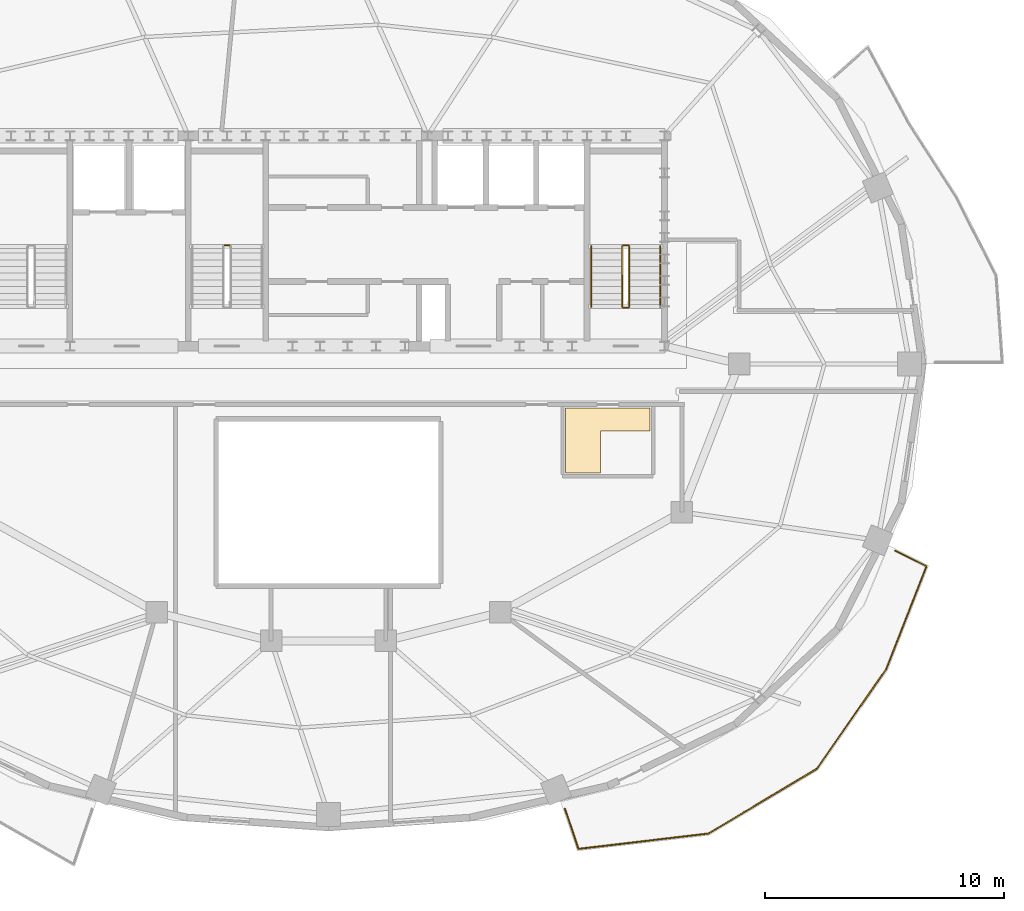
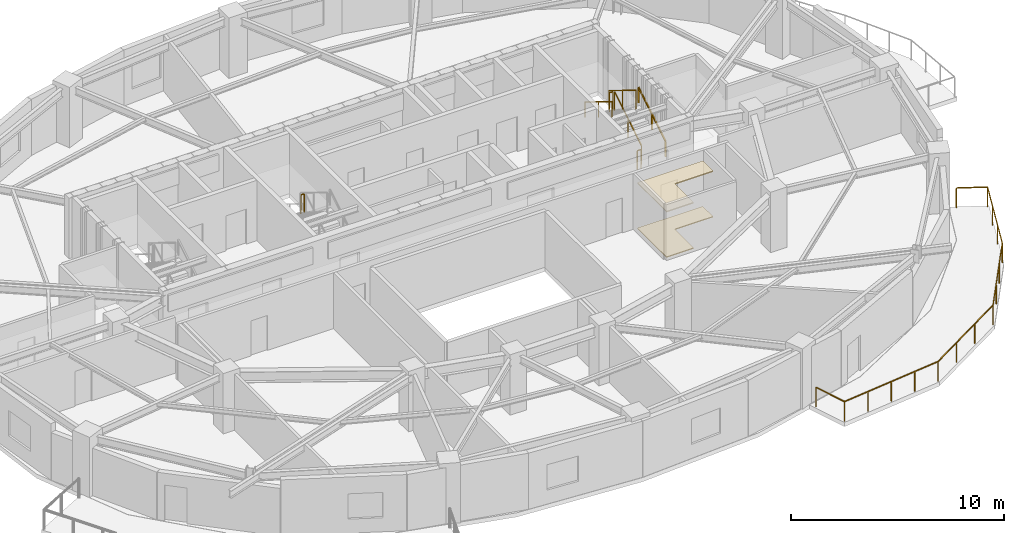
# One storey, part 9 of 10: 8 railings, 2 coverings.
"""IFC4 building model written with IfcOpenShell, lengths in metres."""

import ifcopenshell
import ifcopenshell.guid

model = None  # the IFC model being written
_history = None  # IfcOwnerHistory: only IFC2X3 demands one
_inside = {}  # id of a spatial element -> (the spatial element, [elements in it])
_under = {}  # id of a project, library or spatial element -> (it, [spatial elements below it])
_declared = {}  # id of a project -> (the project, [libraries it declares])
_typed = {}  # id of a type object -> (the type object, [elements of that type])
_made_of = {}  # id of a material, layer set ... -> (it, [elements and type objects made of it])


def new_model(schema):
    """Start an empty IFC model of exactly this schema.

    Asked for "IFC4X3", IfcOpenShell would pick the latest addendum, in which some entities
    have other attributes; the version numbers below select the first issue.
    IFC2X3 requires an IfcOwnerHistory on every rooted entity: one is made here for all.
    """
    global model, _history
    if schema == "IFC4X3":
        model = ifcopenshell.file(schema_version=(4, 3, 0, 0))
    else:
        model = ifcopenshell.file(schema=schema)
    _inside.clear()
    _under.clear()
    _declared.clear()
    _typed.clear()
    _made_of.clear()
    _history = None
    if model.schema == "IFC2X3":
        org = make("IfcOrganization", Name="unknown")
        user = make(
            "IfcPersonAndOrganization",
            ThePerson=make("IfcPerson", FamilyName="unknown"),
            TheOrganization=org,
        )
        app = make(
            "IfcApplication",
            ApplicationDeveloper=org,
            Version="unknown",
            ApplicationFullName="unknown",
            ApplicationIdentifier="unknown",
        )
        _history = make(
            "IfcOwnerHistory",
            OwningUser=user,
            OwningApplication=app,
            ChangeAction="ADDED",
            CreationDate=0,
        )
    return model


def make(cls, **values):
    """One entity of the class cls with the attributes given. An attribute that is None is left unset."""
    return model.create_entity(
        cls, **{name: value for name, value in values.items() if value is not None}
    )


def rooted(cls, **values):
    """An entity with a GlobalId (a new one), such as an element, a storey or a relation."""
    return make(cls, GlobalId=ifcopenshell.guid.new(), OwnerHistory=_history, **values)


def si_unit(unit_type, name, prefix=None):
    """IfcSIUnit, for example si_unit("LENGTHUNIT", "METRE", prefix="MILLI")."""
    return make("IfcSIUnit", UnitType=unit_type, Prefix=prefix, Name=name)


def assignment(units):
    """IfcUnitAssignment: the units of a project."""
    return None if units is None else make("IfcUnitAssignment", Units=units)


def point(xyz):
    """IfcCartesianPoint."""
    return None if xyz is None else make("IfcCartesianPoint", Coordinates=xyz)


def direction(xyz):
    """IfcDirection."""
    return None if xyz is None else make("IfcDirection", DirectionRatios=xyz)


def frame(location, z_axis=None, x_axis=None):
    """IfcAxis2Placement3D, a coordinate frame: its origin and axes. An axis left out is left unset."""
    return make(
        "IfcAxis2Placement3D",
        Location=point(location),
        Axis=direction(z_axis),
        RefDirection=direction(x_axis),
    )


def frame_2d(location, x_axis=None):
    """IfcAxis2Placement2D, a coordinate frame in the plane: its origin and x axis."""
    return make(
        "IfcAxis2Placement2D", Location=point(location), RefDirection=direction(x_axis)
    )


def origin():
    """The frame at (0, 0, 0) with its axes left unset."""
    return frame((0.0, 0.0, 0.0))


def origin_2d():
    """The frame at (0, 0) in the plane with its x axis left unset."""
    return frame_2d((0.0, 0.0))


def place(relative_to, where):
    """IfcLocalPlacement: puts the frame where relative to a parent placement (None: the world)."""
    return make(
        "IfcLocalPlacement", PlacementRelTo=relative_to, RelativePlacement=where
    )


def context(
    kind, dimensions, precision=None, world=None, true_north=None, identifier=None
):
    """IfcGeometricRepresentationContext, for example the 3D "Model" context."""
    return make(
        "IfcGeometricRepresentationContext",
        ContextIdentifier=identifier,
        ContextType=kind,
        CoordinateSpaceDimension=dimensions,
        Precision=precision,
        WorldCoordinateSystem=world,
        TrueNorth=true_north,
    )


def subcontext(parent, identifier, kind, view, scale=None):
    """IfcGeometricRepresentationSubContext, for example "Body" below "Model"."""
    return make(
        "IfcGeometricRepresentationSubContext",
        ContextIdentifier=identifier,
        ContextType=kind,
        ParentContext=parent,
        TargetScale=scale,
        TargetView=view,
    )


def project(units=None, contexts=None):
    """IfcProject with its units and contexts."""
    return rooted(
        "IfcProject",
        Name="project",
        RepresentationContexts=contexts,
        UnitsInContext=assignment(units),
    )


def spatial(cls, under=None, at=None, **own):
    """A site, building, storey or space (cls), placed at a placement, below another one or the project."""
    s = rooted(cls, ObjectPlacement=at, **own)
    if under is not None:
        _under.setdefault(under.id(), (under, []))[1].append(s)
    return s


def polyline(points):
    """IfcPolyline through the points."""
    return make("IfcPolyline", Points=[point(p) for p in points])


def profile(cls, at=None, kind="AREA", **sizes):
    """A parametric profile (cls). Its sizes go by their IFC names, for example OverallWidth=200.0."""
    return make(cls, ProfileType=kind, Position=at, **sizes)


def rectangle(**sizes):
    """IfcRectangleProfileDef."""
    return profile("IfcRectangleProfileDef", **sizes)


def outline(outer, holes=None, kind="AREA"):
    """IfcArbitraryClosedProfileDef: a profile drawn as a closed curve; with holes, ...WithVoids."""
    if holes is None:
        return make("IfcArbitraryClosedProfileDef", ProfileType=kind, OuterCurve=outer)
    return make(
        "IfcArbitraryProfileDefWithVoids",
        ProfileType=kind,
        OuterCurve=outer,
        InnerCurves=holes,
    )


def extrude(swept, where, along, depth):
    """IfcExtrudedAreaSolid: the profile swept, set in the frame where, extruded along a direction by depth."""
    return make(
        "IfcExtrudedAreaSolid",
        SweptArea=swept,
        Position=where,
        ExtrudedDirection=direction(along),
        Depth=depth,
    )


def shape(context_of_items, identifier, shape_type, items):
    """IfcShapeRepresentation: the items that make up one representation, for example the "Body"."""
    return make(
        "IfcShapeRepresentation",
        ContextOfItems=context_of_items,
        RepresentationIdentifier=identifier,
        RepresentationType=shape_type,
        Items=items,
    )


def material(Name=None, Category=None):
    """IfcMaterial."""
    return make("IfcMaterial", Name=Name, Category=Category)


def layer(
    of_material, thickness, ventilated=None, Name=None, Category=None, Priority=None
):
    """IfcMaterialLayer: one layer of a wall or slab, of a material (None: an air gap)."""
    return make(
        "IfcMaterialLayer",
        Material=of_material,
        LayerThickness=thickness,
        IsVentilated=ventilated,
        Name=Name,
        Category=Category,
        Priority=Priority,
    )


def layer_set(layers, Name=None):
    """IfcMaterialLayerSet."""
    return make("IfcMaterialLayerSet", MaterialLayers=layers, LayerSetName=Name)


def made_of(thing, what):
    """Note that an element or type object is made of a material, layer set ...; save() writes the relation."""
    if what is not None:
        _made_of.setdefault(what.id(), (what, []))[1].append(thing)
    return thing


def type_object(cls, material=None, **own):
    """A type object (cls), such as IfcWallType, which elements share."""
    return made_of(rooted(cls, **own), material)


def element(
    cls,
    number,
    at=None,
    inside=None,
    cuts=None,
    type_object=None,
    material=None,
    context=None,
    identifier="Body",
    shape_type=None,
    held_by="IfcProductDefinitionShape",
    body=None,
    shapes=None,
    **own,
):
    """One element of the class cls, such as IfcWall. Its Tag is "e" and its number.

    at: its placement. inside: the storey or other place that contains it. cuts: it is an
    opening in that element (IfcRelVoidsElement). A single representation is given by context,
    identifier, shape_type and body (its items); several are given by shapes. held_by: the class
    of the entity that holds the representations. save() writes the other relations.
    """
    e = rooted(cls, Tag="e%d" % number, ObjectPlacement=at, **own)
    if body is not None:
        shapes = [shape(context, identifier, shape_type, body)]
    if shapes is not None:
        e.Representation = make(held_by, Representations=shapes)
    if inside is not None:
        _inside.setdefault(inside.id(), (inside, []))[1].append(e)
    if cuts is not None:
        rooted(
            "IfcRelVoidsElement", RelatingBuildingElement=cuts, RelatedOpeningElement=e
        )
    if type_object is not None:
        _typed.setdefault(type_object.id(), (type_object, []))[1].append(e)
    return made_of(e, material)


def aggregate(whole, parts):
    """IfcRelAggregates: a whole, such as a stair, and the parts it consists of."""
    return rooted("IfcRelAggregates", RelatingObject=whole, RelatedObjects=parts)


def save(model, path):
    """Write the relations noted so far, then the file.

    IfcRelAggregates (storeys below a building ...), IfcRelContainedInSpatialStructure (elements
    in a storey), IfcRelDefinesByType, IfcRelAssociatesMaterial and IfcRelDeclares: one each for
    every whole, place, type object, material and project.
    """
    for whole, parts in _under.values():
        aggregate(whole, parts)
    for where, things in _inside.values():
        rooted(
            "IfcRelContainedInSpatialStructure",
            RelatedElements=things,
            RelatingStructure=where,
        )
    for kind, things in _typed.values():
        rooted("IfcRelDefinesByType", RelatedObjects=things, RelatingType=kind)
    for what, things in _made_of.values():
        rooted("IfcRelAssociatesMaterial", RelatedObjects=things, RelatingMaterial=what)
    for by, libraries in _declared.values():
        rooted("IfcRelDeclares", RelatingContext=by, RelatedDefinitions=libraries)
    model.write(path)


model = new_model("IFC4")

# Units and contexts
model_context = context("Model", 3, precision=1e-05, world=origin(), true_north=direction((0.0, 1.0)))
body_context = subcontext(model_context, "Body", "Model", "MODEL_VIEW")
ifc_project = project(units=[si_unit("LENGTHUNIT", "METRE"), si_unit("AREAUNIT", "SQUARE_METRE"), si_unit("VOLUMEUNIT", "CUBIC_METRE"), si_unit("PLANEANGLEUNIT", "RADIAN"), si_unit("MASSUNIT", "GRAM", prefix="KILO")], contexts=[model_context])

# Site, building, storey
site_placement = place(None, origin())
site = spatial("IfcSite", under=ifc_project, at=site_placement, CompositionType="ELEMENT")
building_placement = place(site_placement, origin())
building = spatial("IfcBuilding", under=site, at=building_placement, Name="Haldorwick Loom Tower", CompositionType="ELEMENT")
storey_placement = place(building_placement, frame((0.0, 0.0, 262.64990234375)))
storey = spatial("IfcBuildingStorey", under=building, at=storey_placement, Name="L71", CompositionType="ELEMENT", Elevation=262.64990234375)

# Coverings
ifc_material_1 = material(Name="Mineral Fibre Acoustic Ceiling Tile")
ifc_layer_1 = layer(ifc_material_1, 0.054931640625, Name="Mineral Fibre Acoustic Ceiling Tile")
ifc_layer_set_1 = layer_set([ifc_layer_1], Name="Mineral Fibre Acoustic Ceiling Tile")
covering_type_1 = type_object("IfcCoveringType", Name="ARC-COV-CEIL2", PredefinedType="CEILING", material=ifc_layer_set_1)
covering_1_placement = place(storey_placement, frame((0.0, 0.0, 2.59521484375)))
element("IfcCovering", 1, at=covering_1_placement, inside=storey, type_object=covering_type_1, Name="L71 Acoustic Suspended Ceiling 2", PredefinedType="CEILING", context=body_context, shape_type="SweptSolid", body=[
    extrude(outline(polyline([(45.929931640625, 24.159912109375), (45.929931640625, 21.429931640625), (47.39990234375, 21.429931640625), (47.39990234375, 23.199951171875), (49.469970703125, 23.199951171875), (49.469970703125, 24.159912109375), (45.929931640625, 24.159912109375)])), origin(), (0.0, 0.0, 1.0), 0.054931640625),
])
ifc_material_2 = material(Name="Polished Aggregate Terrazzo Finish")
ifc_layer_2 = layer(ifc_material_2, 0.044921875, Name="Polished Aggregate Terrazzo Finish")
ifc_layer_set_2 = layer_set([ifc_layer_2], Name="Polished Aggregate Terrazzo Finish")
covering_type_2 = type_object("IfcCoveringType", Name="ARC-COV-FLOOR2", PredefinedType="FLOORING", material=ifc_layer_set_2)
covering_2_placement = place(storey_placement, origin())
element("IfcCovering", 2, at=covering_2_placement, inside=storey, type_object=covering_type_2, Name="L71 Floor Finish 2", PredefinedType="FLOORING", context=body_context, shape_type="SweptSolid", body=[
    extrude(outline(polyline([(45.929931640625, 24.159912109375), (45.929931640625, 21.429931640625), (47.39990234375, 21.429931640625), (47.39990234375, 23.199951171875), (49.469970703125, 23.199951171875), (49.469970703125, 24.159912109375), (45.929931640625, 24.159912109375)])), origin(), (0.0, 0.0, 1.0), 0.045166015625),
])

# Railings
ifc_material_3 = material(Name="Galvanized Steel CSA G40.21 350W", Category="steel")
railing_type_1 = type_object("IfcRailingType", Name="ARC-RLG-BAL115", PredefinedType="BALUSTRADE", material=ifc_material_3)
railing_1_placement = place(storey_placement, frame((59.7294921875, 18.181396484375, 0.0)))
element("IfcRailing", 3, at=railing_1_placement, inside=storey, type_object=railing_type_1, Name="L71 Outdoor Terrace Guardrail SLB-L71-BAL_SE-1", PredefinedType="BALUSTRADE", context=body_context, shape_type="SweptSolid", body=[
    extrude(rectangle(XDim=0.048095703125, YDim=0.048095703125, at=origin_2d()), frame((0.0, 0.0, 1.1259765625), z_axis=(0.892217486271, -0.451605975594, 0.0), x_axis=(0.451605975594, 0.892217486271, 0.0)), (0.0, 0.0, 1.0), 1.465576171875),
    extrude(rectangle(XDim=0.048095703125, YDim=0.048095703125, at=origin_2d()), frame((1.3076171875, -0.661865234375, 1.1259765625), z_axis=(-0.364986195899, -0.931012930524, 0.0), x_axis=(0.931012930524, -0.364986195899, 0.0)), (0.0, 0.0, 1.0), 4.626708984375),
    extrude(rectangle(XDim=0.048095703125, YDim=0.048095703125, at=origin_2d()), frame((-0.381103515625, -4.969482421875, 1.1259765625), z_axis=(-0.571702444027, -0.820461038376, 0.0), x_axis=(0.820461038376, -0.571702444027, 0.0)), (0.0, 0.0, 1.0), 5.077880859375),
    extrude(rectangle(XDim=0.048095703125, YDim=0.048095703125, at=origin_2d()), frame((-3.2841796875, -9.1357421875, 1.1259765625), z_axis=(-0.858652256334, -0.512558584644, 0.0), x_axis=(0.512558584644, -0.858652256334, 0.0)), (0.0, 0.0, 1.0), 5.28564453125),
    extrude(rectangle(XDim=0.048095703125, YDim=0.048095703125, at=origin_2d()), frame((-7.82275390625, -11.844970703125, 1.1259765625), z_axis=(-0.993094464477, -0.117317452346, 0.0), x_axis=(0.117317452346, -0.993094464477, 0.0)), (0.0, 0.0, 1.0), 5.47314453125),
    extrude(rectangle(XDim=0.048095703125, YDim=0.048095703125, at=origin_2d()), frame((-13.258056640625, -12.487060546875, 1.1259765625), z_axis=(-0.320860946785, 0.947126313027, 0.0), x_axis=(-0.947126313027, -0.320860946785, 0.0)), (0.0, 0.0, 1.0), 1.76904296875),
    extrude(rectangle(XDim=0.0419921875, YDim=0.0419921875, at=origin_2d()), origin(), (0.0, 0.0, 1.0), 1.101806640625),
    extrude(rectangle(XDim=0.0419921875, YDim=0.0419921875, at=origin_2d()), frame((1.3076171875, -0.661865234375, 0.0)), (0.0, 0.0, 1.0), 1.101806640625),
    extrude(rectangle(XDim=0.0419921875, YDim=0.0419921875, at=origin_2d()), frame((0.74462890625, -2.09765625, 0.0)), (0.0, 0.0, 1.0), 1.101806640625),
    extrude(rectangle(XDim=0.0419921875, YDim=0.0419921875, at=origin_2d()), frame((0.181884765625, -3.53369140625, 0.0)), (0.0, 0.0, 1.0), 1.101806640625),
    extrude(rectangle(XDim=0.0419921875, YDim=0.0419921875, at=origin_2d()), frame((-0.381103515625, -4.969482421875, 0.0)), (0.0, 0.0, 1.0), 1.101806640625),
    extrude(rectangle(XDim=0.0419921875, YDim=0.0419921875, at=origin_2d()), frame((-1.348876953125, -6.358154296875, 0.0)), (0.0, 0.0, 1.0), 1.101806640625),
    extrude(rectangle(XDim=0.0419921875, YDim=0.0419921875, at=origin_2d()), frame((-2.31640625, -7.7470703125, 0.0)), (0.0, 0.0, 1.0), 1.101806640625),
    extrude(rectangle(XDim=0.0419921875, YDim=0.0419921875, at=origin_2d()), frame((-3.2841796875, -9.1357421875, 0.0)), (0.0, 0.0, 1.0), 1.101806640625),
    extrude(rectangle(XDim=0.0419921875, YDim=0.0419921875, at=origin_2d()), frame((-4.797119140625, -10.038818359375, 0.0)), (0.0, 0.0, 1.0), 1.101806640625),
    extrude(rectangle(XDim=0.0419921875, YDim=0.0419921875, at=origin_2d()), frame((-6.309814453125, -10.94189453125, 0.0)), (0.0, 0.0, 1.0), 1.101806640625),
    extrude(rectangle(XDim=0.0419921875, YDim=0.0419921875, at=origin_2d()), frame((-7.82275390625, -11.844970703125, 0.0)), (0.0, 0.0, 1.0), 1.101806640625),
    extrude(rectangle(XDim=0.0419921875, YDim=0.0419921875, at=origin_2d()), frame((-9.181640625, -12.00537109375, 0.0)), (0.0, 0.0, 1.0), 1.101806640625),
    extrude(rectangle(XDim=0.0419921875, YDim=0.0419921875, at=origin_2d()), frame((-10.54052734375, -12.166015625, 0.0)), (0.0, 0.0, 1.0), 1.101806640625),
    extrude(rectangle(XDim=0.0419921875, YDim=0.0419921875, at=origin_2d()), frame((-11.899169921875, -12.32666015625, 0.0)), (0.0, 0.0, 1.0), 1.101806640625),
    extrude(rectangle(XDim=0.0419921875, YDim=0.0419921875, at=origin_2d()), frame((-13.258056640625, -12.487060546875, 0.0)), (0.0, 0.0, 1.0), 1.101806640625),
    extrude(rectangle(XDim=0.0419921875, YDim=0.0419921875, at=origin_2d()), frame((-13.82568359375, -10.8115234375, 0.0)), (0.0, 0.0, 1.0), 1.101806640625),
])
ifc_material_4 = material(Name="Steel CSA G40.21 350W", Category="steel")
railing_type_2 = type_object("IfcRailingType", Name="ARC-RLG-GUARD112", PredefinedType="GUARDRAIL", material=ifc_material_4)
railing_2_placement = place(storey_placement, frame((48.60009765625, 28.39990234375, 0.172607421875)))
element("IfcRailing", 4, at=railing_2_placement, inside=storey, type_object=railing_type_2, Name="L71 ST-02 stair guard 1", PredefinedType="GUARDRAIL", context=body_context, shape_type="SweptSolid", body=[
    extrude(rectangle(XDim=0.048095703125, YDim=0.048095703125, at=origin_2d()), frame((0.0, 0.0, 1.076171875), z_axis=(0.0, 0.851400495292, 0.524516154772), x_axis=(-1.0, 0.0, 0.0)), (0.0, 0.0, 1.0), 2.9599609375),
    extrude(rectangle(XDim=0.0419921875, YDim=0.0419921875, at=origin_2d()), origin(), (0.0, 0.0, 1.0), 1.052001953125),
    extrude(rectangle(XDim=0.0419921875, YDim=0.0419921875, at=origin_2d()), frame((0.0, 1.260009765625, 0.7763671875)), (0.0, 0.0, 1.0), 1.052001953125),
    extrude(rectangle(XDim=0.0419921875, YDim=0.0419921875, at=origin_2d()), frame((0.0, 2.52001953125, 1.552490234375)), (0.0, 0.0, 1.0), 1.052001953125),
])
railing_3_placement = place(storey_placement, frame((48.550048828125, 30.969970703125, 1.72509765625)))
element("IfcRailing", 5, at=railing_3_placement, inside=storey, type_object=railing_type_2, Name="L71 ST-02 stair guard 2", PredefinedType="GUARDRAIL", context=body_context, shape_type="SweptSolid", body=[
    extrude(rectangle(XDim=0.048095703125, YDim=0.048095703125, at=origin_2d()), frame((0.0, 0.0, 1.076171875), z_axis=(-1.0, 0.0, 0.0), x_axis=(0.0, -1.0, 0.0)), (0.0, 0.0, 1.0), 0.199951171875),
    extrude(rectangle(XDim=0.0419921875, YDim=0.0419921875, at=origin_2d()), origin(), (0.0, 0.0, 1.0), 1.052001953125),
    extrude(rectangle(XDim=0.0419921875, YDim=0.0419921875, at=origin_2d()), frame((-0.199951171875, 0.0, 0.0)), (0.0, 0.0, 1.0), 1.052001953125),
])
railing_4_placement = place(storey_placement, frame((48.300048828125, 30.919921875, 1.897705078125)))
element("IfcRailing", 6, at=railing_4_placement, inside=storey, type_object=railing_type_2, Name="L71 ST-02 stair guard 3", PredefinedType="GUARDRAIL", context=body_context, shape_type="SweptSolid", body=[
    extrude(rectangle(XDim=0.048095703125, YDim=0.048095703125, at=origin_2d()), frame((0.0, 0.0, 1.076171875), z_axis=(0.0, -0.851400495292, 0.524516154772), x_axis=(1.0, 0.0, 0.0)), (0.0, 0.0, 1.0), 2.9599609375),
    extrude(rectangle(XDim=0.0419921875, YDim=0.0419921875, at=origin_2d()), origin(), (0.0, 0.0, 1.0), 1.052001953125),
    extrude(rectangle(XDim=0.0419921875, YDim=0.0419921875, at=origin_2d()), frame((0.0, -1.260009765625, 0.7763671875)), (0.0, 0.0, 1.0), 1.052001953125),
    extrude(rectangle(XDim=0.0419921875, YDim=0.0419921875, at=origin_2d()), frame((0.0, -2.52001953125, 1.552490234375)), (0.0, 0.0, 1.0), 1.052001953125),
])
railing_5_placement = place(storey_placement, frame((48.550048828125, 28.35009765625, 0.0)))
element("IfcRailing", 7, at=railing_5_placement, inside=storey, type_object=railing_type_2, Name="L71 ST-02 stair guard 4", PredefinedType="GUARDRAIL", context=body_context, shape_type="SweptSolid", body=[
    extrude(rectangle(XDim=0.048095703125, YDim=0.048095703125, at=origin_2d()), frame((0.0, 0.0, 1.076171875), z_axis=(-1.0, 0.0, 0.0), x_axis=(0.0, -1.0, 0.0)), (0.0, 0.0, 1.0), 0.199951171875),
    extrude(rectangle(XDim=0.0419921875, YDim=0.0419921875, at=origin_2d()), origin(), (0.0, 0.0, 1.0), 1.052001953125),
    extrude(rectangle(XDim=0.0419921875, YDim=0.0419921875, at=origin_2d()), frame((-0.199951171875, 0.0, 0.0)), (0.0, 0.0, 1.0), 1.052001953125),
])
railing_6_placement = place(storey_placement, frame((31.85009765625, 30.969970703125, 1.72509765625)))
element("IfcRailing", 8, at=railing_6_placement, inside=storey, type_object=railing_type_2, Name="L71 ST-03 stair guard 2", PredefinedType="GUARDRAIL", context=body_context, shape_type="SweptSolid", body=[
    extrude(rectangle(XDim=0.048095703125, YDim=0.048095703125, at=origin_2d()), frame((0.0, 0.0, 1.076171875), z_axis=(-1.0, 0.0, 0.0), x_axis=(0.0, -1.0, 0.0)), (0.0, 0.0, 1.0), 0.2001953125),
    extrude(rectangle(XDim=0.0419921875, YDim=0.0419921875, at=origin_2d()), origin(), (0.0, 0.0, 1.0), 1.052001953125),
    extrude(rectangle(XDim=0.0419921875, YDim=0.0419921875, at=origin_2d()), frame((-0.2001953125, 0.0, 0.0)), (0.0, 0.0, 1.0), 1.052001953125),
])
railing_type_3 = type_object("IfcRailingType", Name="ARC-RLG-HAND092", PredefinedType="HANDRAIL", material=ifc_material_4)
railing_7_placement = place(storey_placement, frame((49.89990234375, 28.39990234375, 0.172607421875)))
element("IfcRailing", 9, at=railing_7_placement, inside=storey, type_object=railing_type_3, Name="L71 ST-02 stair handrail 1", PredefinedType="HANDRAIL", context=body_context, shape_type="SweptSolid", body=[
    extrude(rectangle(XDim=0.048095703125, YDim=0.048095703125, at=origin_2d()), frame((0.0, 0.0, 0.8759765625), z_axis=(0.0, 0.851400495292, 0.524516154772), x_axis=(-1.0, 0.0, 0.0)), (0.0, 0.0, 1.0), 2.9599609375),
    extrude(rectangle(XDim=0.0419921875, YDim=0.0419921875, at=origin_2d()), origin(), (0.0, 0.0, 1.0), 0.851806640625),
    extrude(rectangle(XDim=0.0419921875, YDim=0.0419921875, at=origin_2d()), frame((0.0, 1.260009765625, 0.7763671875)), (0.0, 0.0, 1.0), 0.851806640625),
    extrude(rectangle(XDim=0.0419921875, YDim=0.0419921875, at=origin_2d()), frame((0.0, 2.52001953125, 1.552490234375)), (0.0, 0.0, 1.0), 0.851806640625),
])
railing_8_placement = place(storey_placement, frame((47.0, 30.919921875, 1.897705078125)))
element("IfcRailing", 10, at=railing_8_placement, inside=storey, type_object=railing_type_3, Name="L71 ST-02 stair handrail 2", PredefinedType="HANDRAIL", context=body_context, shape_type="SweptSolid", body=[
    extrude(rectangle(XDim=0.048095703125, YDim=0.048095703125, at=origin_2d()), frame((0.0, 0.0, 0.8759765625), z_axis=(0.0, -0.851400495292, 0.524516154772), x_axis=(1.0, 0.0, 0.0)), (0.0, 0.0, 1.0), 2.9599609375),
    extrude(rectangle(XDim=0.0419921875, YDim=0.0419921875, at=origin_2d()), origin(), (0.0, 0.0, 1.0), 0.851806640625),
    extrude(rectangle(XDim=0.0419921875, YDim=0.0419921875, at=origin_2d()), frame((0.0, -1.260009765625, 0.7763671875)), (0.0, 0.0, 1.0), 0.851806640625),
    extrude(rectangle(XDim=0.0419921875, YDim=0.0419921875, at=origin_2d()), frame((0.0, -2.52001953125, 1.552490234375)), (0.0, 0.0, 1.0), 0.851806640625),
])

save(model, "model.ifc")
